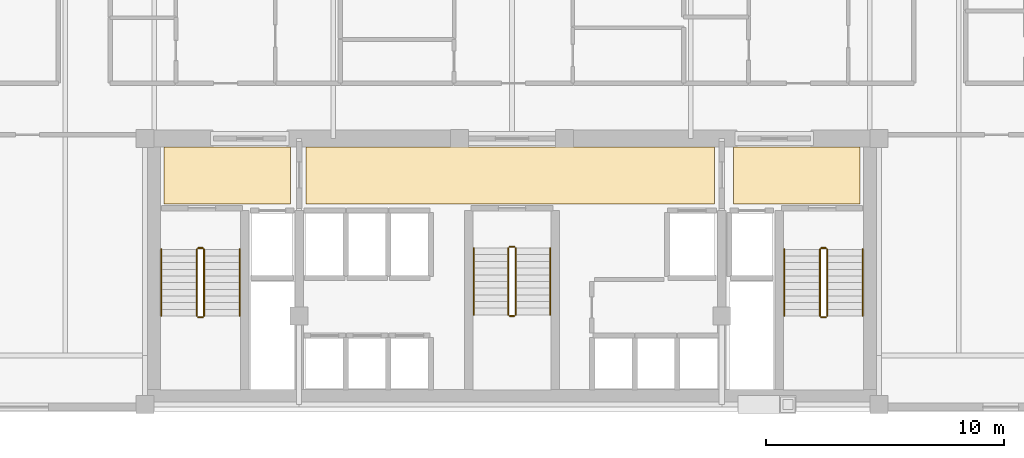
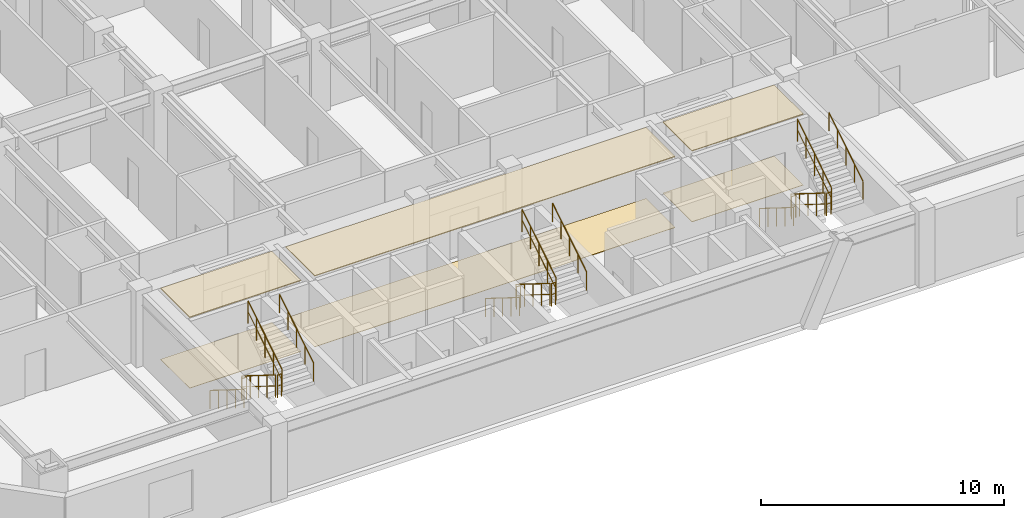
# One storey, part 14 of 14: 18 railings, 6 coverings.
"""IFC4 building model written with IfcOpenShell, lengths in metres."""

from ifc_helpers import new_model, si_unit, direction, frame, origin, origin_2d, place, context, subcontext, project, spatial, polyline, circle, outline, extrude, material, layer, layer_set, type_object, element, save


model = new_model("IFC4")

# Units and contexts
model_context = context("Model", 3, precision=1e-05, world=origin(), true_north=direction((0.0, 1.0)))
body_context = subcontext(model_context, "Body", "Model", "MODEL_VIEW")
ifc_project = project(units=[si_unit("LENGTHUNIT", "METRE"), si_unit("AREAUNIT", "SQUARE_METRE"), si_unit("VOLUMEUNIT", "CUBIC_METRE"), si_unit("PLANEANGLEUNIT", "RADIAN"), si_unit("MASSUNIT", "GRAM", prefix="KILO")], contexts=[model_context])

# Site, building, storey
site_placement = place(None, origin())
site = spatial("IfcSite", under=ifc_project, at=site_placement, CompositionType="ELEMENT")
building_placement = place(site_placement, origin())
building = spatial("IfcBuilding", under=site, at=building_placement, Name="Ventersveld Concourse Tower", CompositionType="ELEMENT")
storey_placement = place(building_placement, frame((0.0, 0.0, 81.050048828125)))
storey = spatial("IfcBuildingStorey", under=building, at=storey_placement, Name="L19", CompositionType="ELEMENT", Elevation=81.050048828125)

# Coverings
ifc_material_1 = material(Name="Mineral-fibre acoustic ceiling tile", Category="gypsum")
ifc_layer_1 = layer(ifc_material_1, 0.0400390625)
ifc_layer_set_1 = layer_set([ifc_layer_1], Name="Mineral-fibre acoustic ceiling tile")
covering_type_1 = type_object("IfcCoveringType", Name="COV-CEIL-ACOUSTIC", PredefinedType="CEILING", material=ifc_layer_set_1)
covering_1_placement = place(storey_placement, frame((0.0, 0.0, 3.56005859375)))
element("IfcCovering", 1, at=covering_1_placement, inside=storey, type_object=covering_type_1, Name="L19 North Lift Lobby Acoustic Ceiling", PredefinedType="CEILING", context=body_context, shape_type="SweptSolid", body=[
    extrude(outline(polyline([(20.10009765625, 8.699951171875), (37.25, 8.699951171875), (37.25, 11.10009765625), (20.10009765625, 11.10009765625), (20.10009765625, 8.699951171875)])), origin(), (0.0, 0.0, 1.0), 0.039794921875),
])
covering_2_placement = place(storey_placement, frame((0.0, 0.0, 3.56005859375)))
element("IfcCovering", 2, at=covering_2_placement, inside=storey, type_object=covering_type_1, Name="L19 West Firefighting Lobby Acoustic Ceiling", PredefinedType="CEILING", context=body_context, shape_type="SweptSolid", body=[
    extrude(outline(polyline([(14.14990234375, 8.699951171875), (19.449951171875, 8.699951171875), (19.449951171875, 11.10009765625), (14.14990234375, 11.10009765625), (14.14990234375, 8.699951171875)])), origin(), (0.0, 0.0, 1.0), 0.039794921875),
])
covering_3_placement = place(storey_placement, frame((0.0, 0.0, 3.56005859375)))
element("IfcCovering", 3, at=covering_3_placement, inside=storey, type_object=covering_type_1, Name="L19 East Firefighting Lobby Acoustic Ceiling", PredefinedType="CEILING", context=body_context, shape_type="SweptSolid", body=[
    extrude(outline(polyline([(38.050048828125, 8.699951171875), (43.35009765625, 8.699951171875), (43.35009765625, 11.10009765625), (38.050048828125, 11.10009765625), (38.050048828125, 8.699951171875)])), origin(), (0.0, 0.0, 1.0), 0.039794921875),
])
ifc_material_2 = material(Name="Polished Highveld granite terrazzo", Category="masonry")
ifc_layer_2 = layer(ifc_material_2, 0.02001953125)
ifc_layer_set_2 = layer_set([ifc_layer_2], Name="Polished Highveld granite terrazzo")
covering_type_2 = type_object("IfcCoveringType", Name="COV-FLOOR-TERRAZZO", PredefinedType="FLOORING", material=ifc_layer_set_2)
covering_4_placement = place(storey_placement, origin())
element("IfcCovering", 4, at=covering_4_placement, inside=storey, type_object=covering_type_2, Name="L19 North Lift Lobby Terrazzo Flooring", PredefinedType="FLOORING", context=body_context, shape_type="SweptSolid", body=[
    extrude(outline(polyline([(20.10009765625, 8.699951171875), (37.25, 8.699951171875), (37.25, 11.10009765625), (20.10009765625, 11.10009765625), (20.10009765625, 8.699951171875)])), origin(), (0.0, 0.0, 1.0), 0.02001953125),
])
covering_5_placement = place(storey_placement, origin())
element("IfcCovering", 5, at=covering_5_placement, inside=storey, type_object=covering_type_2, Name="L19 West Firefighting Lobby Terrazzo Flooring", PredefinedType="FLOORING", context=body_context, shape_type="SweptSolid", body=[
    extrude(outline(polyline([(14.14990234375, 8.699951171875), (19.449951171875, 8.699951171875), (19.449951171875, 11.10009765625), (14.14990234375, 11.10009765625), (14.14990234375, 8.699951171875)])), origin(), (0.0, 0.0, 1.0), 0.02001953125),
])
covering_6_placement = place(storey_placement, origin())
element("IfcCovering", 6, at=covering_6_placement, inside=storey, type_object=covering_type_2, Name="L19 East Firefighting Lobby Terrazzo Flooring", PredefinedType="FLOORING", context=body_context, shape_type="SweptSolid", body=[
    extrude(outline(polyline([(38.050048828125, 8.699951171875), (43.35009765625, 8.699951171875), (43.35009765625, 11.10009765625), (38.050048828125, 11.10009765625), (38.050048828125, 8.699951171875)])), origin(), (0.0, 0.0, 1.0), 0.02001953125),
])

# Railings
ifc_material_3 = material(Name="Brushed stainless steel 316", Category="steel")
railing_type_1 = type_object("IfcRailingType", Name="GD-BAL-115", PredefinedType="GUARDRAIL", material=ifc_material_3)
railing_1_placement = place(storey_placement, frame((15.530029296875, 6.800048828125, 0.175048828125)))
element("IfcRailing", 7, at=railing_1_placement, inside=storey, type_object=railing_type_1, Name="L19 ST-01 stair guard 1", PredefinedType="GUARDRAIL", context=body_context, shape_type="SweptSolid", body=[
    extrude(circle(Radius=0.02392578125, at=origin_2d()), frame((0.0, 0.0, 1.1259765625), z_axis=(0.0, -0.848002457836, 0.529992293815), x_axis=(1.0, 0.0, 0.0)), (0.0, 0.0, 1.0), 3.302001953125),
    extrude(circle(Radius=0.01611328125, at=origin_2d()), frame((0.0, 0.0, 0.574951171875), z_axis=(0.0, -0.848002457836, 0.529992293815), x_axis=(1.0, 0.0, 0.0)), (0.0, 0.0, 1.0), 3.302001953125),
    extrude(circle(Radius=0.02099609375, at=origin_2d()), origin(), (0.0, 0.0, 1.0), 1.101806640625),
    extrude(circle(Radius=0.02099609375, at=origin_2d()), frame((0.0, -0.699951171875, 0.4375)), (0.0, 0.0, 1.0), 1.101806640625),
    extrude(circle(Radius=0.02099609375, at=origin_2d()), frame((0.0, -1.39990234375, 0.875)), (0.0, 0.0, 1.0), 1.101806640625),
    extrude(circle(Radius=0.02099609375, at=origin_2d()), frame((0.0, -2.10009765625, 1.3125)), (0.0, 0.0, 1.0), 1.101806640625),
    extrude(circle(Radius=0.02099609375, at=origin_2d()), frame((0.0, -2.800048828125, 1.75)), (0.0, 0.0, 1.0), 1.101806640625),
])
railing_2_placement = place(storey_placement, frame((15.580078125, 3.949951171875, 1.925048828125)))
element("IfcRailing", 8, at=railing_2_placement, inside=storey, type_object=railing_type_1, Name="L19 ST-01 stair guard 2", PredefinedType="GUARDRAIL", context=body_context, shape_type="SweptSolid", body=[
    extrude(circle(Radius=0.02392578125, at=origin_2d()), frame((0.0, 0.0, 1.1259765625), z_axis=(1.0, 0.0, 0.0), x_axis=(0.0, 1.0, 0.0)), (0.0, 0.0, 1.0), 0.199951171875),
    extrude(circle(Radius=0.01611328125, at=origin_2d()), frame((0.0, 0.0, 0.574951171875), z_axis=(1.0, 0.0, 0.0), x_axis=(0.0, 1.0, 0.0)), (0.0, 0.0, 1.0), 0.199951171875),
    extrude(circle(Radius=0.02099609375, at=origin_2d()), origin(), (0.0, 0.0, 1.0), 1.101806640625),
    extrude(circle(Radius=0.02099609375, at=origin_2d()), frame((0.199951171875, 0.0, 0.0)), (0.0, 0.0, 1.0), 1.101806640625),
])
railing_3_placement = place(storey_placement, frame((15.830078125, 4.0, 2.099853515625)))
element("IfcRailing", 9, at=railing_3_placement, inside=storey, type_object=railing_type_1, Name="L19 ST-01 stair guard 3", PredefinedType="GUARDRAIL", context=body_context, shape_type="SweptSolid", body=[
    extrude(circle(Radius=0.02392578125, at=origin_2d()), frame((0.0, 0.0, 1.1259765625), z_axis=(0.0, 0.848002457836, 0.529992293815), x_axis=(-1.0, 0.0, 0.0)), (0.0, 0.0, 1.0), 3.302001953125),
    extrude(circle(Radius=0.01611328125, at=origin_2d()), frame((0.0, 0.0, 0.574951171875), z_axis=(0.0, 0.848002457836, 0.529992293815), x_axis=(-1.0, 0.0, 0.0)), (0.0, 0.0, 1.0), 3.302001953125),
    extrude(circle(Radius=0.02099609375, at=origin_2d()), origin(), (0.0, 0.0, 1.0), 1.101806640625),
    extrude(circle(Radius=0.02099609375, at=origin_2d()), frame((0.0, 0.699951171875, 0.4375)), (0.0, 0.0, 1.0), 1.101806640625),
    extrude(circle(Radius=0.02099609375, at=origin_2d()), frame((0.0, 1.39990234375, 0.875)), (0.0, 0.0, 1.0), 1.101806640625),
    extrude(circle(Radius=0.02099609375, at=origin_2d()), frame((0.0, 2.10009765625, 1.3125)), (0.0, 0.0, 1.0), 1.101806640625),
    extrude(circle(Radius=0.02099609375, at=origin_2d()), frame((0.0, 2.800048828125, 1.75)), (0.0, 0.0, 1.0), 1.101806640625),
])
railing_4_placement = place(storey_placement, frame((15.580078125, 6.85009765625, 0.0)))
element("IfcRailing", 10, at=railing_4_placement, inside=storey, type_object=railing_type_1, Name="L19 ST-01 stair guard 4", PredefinedType="GUARDRAIL", context=body_context, shape_type="SweptSolid", body=[
    extrude(circle(Radius=0.02392578125, at=origin_2d()), frame((0.0, 0.0, 1.1259765625), z_axis=(1.0, 0.0, 0.0), x_axis=(0.0, 1.0, 0.0)), (0.0, 0.0, 1.0), 0.199951171875),
    extrude(circle(Radius=0.01611328125, at=origin_2d()), frame((0.0, 0.0, 0.574951171875), z_axis=(1.0, 0.0, 0.0), x_axis=(0.0, 1.0, 0.0)), (0.0, 0.0, 1.0), 0.199951171875),
    extrude(circle(Radius=0.02099609375, at=origin_2d()), origin(), (0.0, 0.0, 1.0), 1.101806640625),
    extrude(circle(Radius=0.02099609375, at=origin_2d()), frame((0.199951171875, 0.0, 0.0)), (0.0, 0.0, 1.0), 1.101806640625),
])
railing_5_placement = place(storey_placement, frame((41.669921875, 6.800048828125, 0.175048828125)))
element("IfcRailing", 11, at=railing_5_placement, inside=storey, type_object=railing_type_1, Name="L19 ST-02 stair guard 1", PredefinedType="GUARDRAIL", context=body_context, shape_type="SweptSolid", body=[
    extrude(circle(Radius=0.02392578125, at=origin_2d()), frame((0.0, 0.0, 1.1259765625), z_axis=(0.0, -0.848002457836, 0.529992293815), x_axis=(1.0, 0.0, 0.0)), (0.0, 0.0, 1.0), 3.302001953125),
    extrude(circle(Radius=0.01611328125, at=origin_2d()), frame((0.0, 0.0, 0.574951171875), z_axis=(0.0, -0.848002457836, 0.529992293815), x_axis=(1.0, 0.0, 0.0)), (0.0, 0.0, 1.0), 3.302001953125),
    extrude(circle(Radius=0.02099609375, at=origin_2d()), origin(), (0.0, 0.0, 1.0), 1.101806640625),
    extrude(circle(Radius=0.02099609375, at=origin_2d()), frame((0.0, -0.699951171875, 0.4375)), (0.0, 0.0, 1.0), 1.101806640625),
    extrude(circle(Radius=0.02099609375, at=origin_2d()), frame((0.0, -1.39990234375, 0.875)), (0.0, 0.0, 1.0), 1.101806640625),
    extrude(circle(Radius=0.02099609375, at=origin_2d()), frame((0.0, -2.10009765625, 1.3125)), (0.0, 0.0, 1.0), 1.101806640625),
    extrude(circle(Radius=0.02099609375, at=origin_2d()), frame((0.0, -2.800048828125, 1.75)), (0.0, 0.0, 1.0), 1.101806640625),
])
railing_6_placement = place(storey_placement, frame((41.719970703125, 3.949951171875, 1.925048828125)))
element("IfcRailing", 12, at=railing_6_placement, inside=storey, type_object=railing_type_1, Name="L19 ST-02 stair guard 2", PredefinedType="GUARDRAIL", context=body_context, shape_type="SweptSolid", body=[
    extrude(circle(Radius=0.02392578125, at=origin_2d()), frame((0.0, 0.0, 1.1259765625), z_axis=(1.0, 0.0, 0.0), x_axis=(0.0, 1.0, 0.0)), (0.0, 0.0, 1.0), 0.199951171875),
    extrude(circle(Radius=0.01611328125, at=origin_2d()), frame((0.0, 0.0, 0.574951171875), z_axis=(1.0, 0.0, 0.0), x_axis=(0.0, 1.0, 0.0)), (0.0, 0.0, 1.0), 0.199951171875),
    extrude(circle(Radius=0.02099609375, at=origin_2d()), origin(), (0.0, 0.0, 1.0), 1.101806640625),
    extrude(circle(Radius=0.02099609375, at=origin_2d()), frame((0.199951171875, 0.0, 0.0)), (0.0, 0.0, 1.0), 1.101806640625),
])
railing_7_placement = place(storey_placement, frame((41.969970703125, 4.0, 2.099853515625)))
element("IfcRailing", 13, at=railing_7_placement, inside=storey, type_object=railing_type_1, Name="L19 ST-02 stair guard 3", PredefinedType="GUARDRAIL", context=body_context, shape_type="SweptSolid", body=[
    extrude(circle(Radius=0.02392578125, at=origin_2d()), frame((0.0, 0.0, 1.1259765625), z_axis=(0.0, 0.848002457836, 0.529992293815), x_axis=(-1.0, 0.0, 0.0)), (0.0, 0.0, 1.0), 3.302001953125),
    extrude(circle(Radius=0.01611328125, at=origin_2d()), frame((0.0, 0.0, 0.574951171875), z_axis=(0.0, 0.848002457836, 0.529992293815), x_axis=(-1.0, 0.0, 0.0)), (0.0, 0.0, 1.0), 3.302001953125),
    extrude(circle(Radius=0.02099609375, at=origin_2d()), origin(), (0.0, 0.0, 1.0), 1.101806640625),
    extrude(circle(Radius=0.02099609375, at=origin_2d()), frame((0.0, 0.699951171875, 0.4375)), (0.0, 0.0, 1.0), 1.101806640625),
    extrude(circle(Radius=0.02099609375, at=origin_2d()), frame((0.0, 1.39990234375, 0.875)), (0.0, 0.0, 1.0), 1.101806640625),
    extrude(circle(Radius=0.02099609375, at=origin_2d()), frame((0.0, 2.10009765625, 1.3125)), (0.0, 0.0, 1.0), 1.101806640625),
    extrude(circle(Radius=0.02099609375, at=origin_2d()), frame((0.0, 2.800048828125, 1.75)), (0.0, 0.0, 1.0), 1.101806640625),
])
railing_8_placement = place(storey_placement, frame((41.719970703125, 6.85009765625, 0.0)))
element("IfcRailing", 14, at=railing_8_placement, inside=storey, type_object=railing_type_1, Name="L19 ST-02 stair guard 4", PredefinedType="GUARDRAIL", context=body_context, shape_type="SweptSolid", body=[
    extrude(circle(Radius=0.02392578125, at=origin_2d()), frame((0.0, 0.0, 1.1259765625), z_axis=(1.0, 0.0, 0.0), x_axis=(0.0, 1.0, 0.0)), (0.0, 0.0, 1.0), 0.199951171875),
    extrude(circle(Radius=0.01611328125, at=origin_2d()), frame((0.0, 0.0, 0.574951171875), z_axis=(1.0, 0.0, 0.0), x_axis=(0.0, 1.0, 0.0)), (0.0, 0.0, 1.0), 0.199951171875),
    extrude(circle(Radius=0.02099609375, at=origin_2d()), origin(), (0.0, 0.0, 1.0), 1.101806640625),
    extrude(circle(Radius=0.02099609375, at=origin_2d()), frame((0.199951171875, 0.0, 0.0)), (0.0, 0.0, 1.0), 1.101806640625),
])
railing_9_placement = place(storey_placement, frame((28.60009765625, 6.85009765625, 0.175048828125)))
element("IfcRailing", 15, at=railing_9_placement, inside=storey, type_object=railing_type_1, Name="L19 ST-03 stair guard 1", PredefinedType="GUARDRAIL", context=body_context, shape_type="SweptSolid", body=[
    extrude(circle(Radius=0.02392578125, at=origin_2d()), frame((0.0, 0.0, 1.1259765625), z_axis=(0.0, -0.848002457836, 0.529992293815), x_axis=(1.0, 0.0, 0.0)), (0.0, 0.0, 1.0), 3.302001953125),
    extrude(circle(Radius=0.01611328125, at=origin_2d()), frame((0.0, 0.0, 0.574951171875), z_axis=(0.0, -0.848002457836, 0.529992293815), x_axis=(1.0, 0.0, 0.0)), (0.0, 0.0, 1.0), 3.302001953125),
    extrude(circle(Radius=0.02099609375, at=origin_2d()), origin(), (0.0, 0.0, 1.0), 1.101806640625),
    extrude(circle(Radius=0.02099609375, at=origin_2d()), frame((0.0, -0.699951171875, 0.4375)), (0.0, 0.0, 1.0), 1.101806640625),
    extrude(circle(Radius=0.02099609375, at=origin_2d()), frame((0.0, -1.39990234375, 0.875)), (0.0, 0.0, 1.0), 1.101806640625),
    extrude(circle(Radius=0.02099609375, at=origin_2d()), frame((0.0, -2.10009765625, 1.3125)), (0.0, 0.0, 1.0), 1.101806640625),
    extrude(circle(Radius=0.02099609375, at=origin_2d()), frame((0.0, -2.800048828125, 1.75)), (0.0, 0.0, 1.0), 1.101806640625),
])
railing_10_placement = place(storey_placement, frame((28.64990234375, 4.0, 1.925048828125)))
element("IfcRailing", 16, at=railing_10_placement, inside=storey, type_object=railing_type_1, Name="L19 ST-03 stair guard 2", PredefinedType="GUARDRAIL", context=body_context, shape_type="SweptSolid", body=[
    extrude(circle(Radius=0.02392578125, at=origin_2d()), frame((0.0, 0.0, 1.1259765625), z_axis=(1.0, 0.0, 0.0), x_axis=(0.0, 1.0, 0.0)), (0.0, 0.0, 1.0), 0.2001953125),
    extrude(circle(Radius=0.01611328125, at=origin_2d()), frame((0.0, 0.0, 0.574951171875), z_axis=(1.0, 0.0, 0.0), x_axis=(0.0, 1.0, 0.0)), (0.0, 0.0, 1.0), 0.2001953125),
    extrude(circle(Radius=0.02099609375, at=origin_2d()), origin(), (0.0, 0.0, 1.0), 1.101806640625),
    extrude(circle(Radius=0.02099609375, at=origin_2d()), frame((0.2001953125, 0.0, 0.0)), (0.0, 0.0, 1.0), 1.101806640625),
])
railing_11_placement = place(storey_placement, frame((28.89990234375, 4.050048828125, 2.099853515625)))
element("IfcRailing", 17, at=railing_11_placement, inside=storey, type_object=railing_type_1, Name="L19 ST-03 stair guard 3", PredefinedType="GUARDRAIL", context=body_context, shape_type="SweptSolid", body=[
    extrude(circle(Radius=0.02392578125, at=origin_2d()), frame((0.0, 0.0, 1.1259765625), z_axis=(0.0, 0.848002457836, 0.529992293815), x_axis=(-1.0, 0.0, 0.0)), (0.0, 0.0, 1.0), 3.302001953125),
    extrude(circle(Radius=0.01611328125, at=origin_2d()), frame((0.0, 0.0, 0.574951171875), z_axis=(0.0, 0.848002457836, 0.529992293815), x_axis=(-1.0, 0.0, 0.0)), (0.0, 0.0, 1.0), 3.302001953125),
    extrude(circle(Radius=0.02099609375, at=origin_2d()), origin(), (0.0, 0.0, 1.0), 1.101806640625),
    extrude(circle(Radius=0.02099609375, at=origin_2d()), frame((0.0, 0.699951171875, 0.4375)), (0.0, 0.0, 1.0), 1.101806640625),
    extrude(circle(Radius=0.02099609375, at=origin_2d()), frame((0.0, 1.39990234375, 0.875)), (0.0, 0.0, 1.0), 1.101806640625),
    extrude(circle(Radius=0.02099609375, at=origin_2d()), frame((0.0, 2.10009765625, 1.3125)), (0.0, 0.0, 1.0), 1.101806640625),
    extrude(circle(Radius=0.02099609375, at=origin_2d()), frame((0.0, 2.800048828125, 1.75)), (0.0, 0.0, 1.0), 1.101806640625),
])
railing_12_placement = place(storey_placement, frame((28.64990234375, 6.89990234375, 0.0)))
element("IfcRailing", 18, at=railing_12_placement, inside=storey, type_object=railing_type_1, Name="L19 ST-03 stair guard 4", PredefinedType="GUARDRAIL", context=body_context, shape_type="SweptSolid", body=[
    extrude(circle(Radius=0.02392578125, at=origin_2d()), frame((0.0, 0.0, 1.1259765625), z_axis=(1.0, 0.0, 0.0), x_axis=(0.0, 1.0, 0.0)), (0.0, 0.0, 1.0), 0.2001953125),
    extrude(circle(Radius=0.01611328125, at=origin_2d()), frame((0.0, 0.0, 0.574951171875), z_axis=(1.0, 0.0, 0.0), x_axis=(0.0, 1.0, 0.0)), (0.0, 0.0, 1.0), 0.2001953125),
    extrude(circle(Radius=0.02099609375, at=origin_2d()), origin(), (0.0, 0.0, 1.0), 1.101806640625),
    extrude(circle(Radius=0.02099609375, at=origin_2d()), frame((0.2001953125, 0.0, 0.0)), (0.0, 0.0, 1.0), 1.101806640625),
])
railing_type_2 = type_object("IfcRailingType", Name="HR-RMP-095", PredefinedType="HANDRAIL", material=ifc_material_3)
railing_13_placement = place(storey_placement, frame((14.030029296875, 6.800048828125, 0.175048828125)))
element("IfcRailing", 19, at=railing_13_placement, inside=storey, type_object=railing_type_2, Name="L19 ST-01 stair handrail 1", PredefinedType="HANDRAIL", context=body_context, shape_type="SweptSolid", body=[
    extrude(circle(Radius=0.02392578125, at=origin_2d()), frame((0.0, 0.0, 0.92578125), z_axis=(0.0, -0.848002457836, 0.529992293815), x_axis=(1.0, 0.0, 0.0)), (0.0, 0.0, 1.0), 3.302001953125),
    extrude(circle(Radius=0.02099609375, at=origin_2d()), origin(), (0.0, 0.0, 1.0), 0.90185546875),
    extrude(circle(Radius=0.02099609375, at=origin_2d()), frame((0.0, -0.699951171875, 0.4375)), (0.0, 0.0, 1.0), 0.90185546875),
    extrude(circle(Radius=0.02099609375, at=origin_2d()), frame((0.0, -1.39990234375, 0.875)), (0.0, 0.0, 1.0), 0.90185546875),
    extrude(circle(Radius=0.02099609375, at=origin_2d()), frame((0.0, -2.10009765625, 1.3125)), (0.0, 0.0, 1.0), 0.90185546875),
    extrude(circle(Radius=0.02099609375, at=origin_2d()), frame((0.0, -2.800048828125, 1.75)), (0.0, 0.0, 1.0), 0.90185546875),
])
railing_14_placement = place(storey_placement, frame((17.330078125, 4.0, 2.099853515625)))
element("IfcRailing", 20, at=railing_14_placement, inside=storey, type_object=railing_type_2, Name="L19 ST-01 stair handrail 2", PredefinedType="HANDRAIL", context=body_context, shape_type="SweptSolid", body=[
    extrude(circle(Radius=0.02392578125, at=origin_2d()), frame((0.0, 0.0, 0.92578125), z_axis=(0.0, 0.848002457836, 0.529992293815), x_axis=(-1.0, 0.0, 0.0)), (0.0, 0.0, 1.0), 3.302001953125),
    extrude(circle(Radius=0.02099609375, at=origin_2d()), origin(), (0.0, 0.0, 1.0), 0.90185546875),
    extrude(circle(Radius=0.02099609375, at=origin_2d()), frame((0.0, 0.699951171875, 0.4375)), (0.0, 0.0, 1.0), 0.90185546875),
    extrude(circle(Radius=0.02099609375, at=origin_2d()), frame((0.0, 1.39990234375, 0.875)), (0.0, 0.0, 1.0), 0.90185546875),
    extrude(circle(Radius=0.02099609375, at=origin_2d()), frame((0.0, 2.10009765625, 1.3125)), (0.0, 0.0, 1.0), 0.90185546875),
    extrude(circle(Radius=0.02099609375, at=origin_2d()), frame((0.0, 2.800048828125, 1.75)), (0.0, 0.0, 1.0), 0.90185546875),
])
railing_15_placement = place(storey_placement, frame((40.169921875, 6.800048828125, 0.175048828125)))
element("IfcRailing", 21, at=railing_15_placement, inside=storey, type_object=railing_type_2, Name="L19 ST-02 stair handrail 1", PredefinedType="HANDRAIL", context=body_context, shape_type="SweptSolid", body=[
    extrude(circle(Radius=0.02392578125, at=origin_2d()), frame((0.0, 0.0, 0.92578125), z_axis=(0.0, -0.848002457836, 0.529992293815), x_axis=(1.0, 0.0, 0.0)), (0.0, 0.0, 1.0), 3.302001953125),
    extrude(circle(Radius=0.02099609375, at=origin_2d()), origin(), (0.0, 0.0, 1.0), 0.90185546875),
    extrude(circle(Radius=0.02099609375, at=origin_2d()), frame((0.0, -0.699951171875, 0.4375)), (0.0, 0.0, 1.0), 0.90185546875),
    extrude(circle(Radius=0.02099609375, at=origin_2d()), frame((0.0, -1.39990234375, 0.875)), (0.0, 0.0, 1.0), 0.90185546875),
    extrude(circle(Radius=0.02099609375, at=origin_2d()), frame((0.0, -2.10009765625, 1.3125)), (0.0, 0.0, 1.0), 0.90185546875),
    extrude(circle(Radius=0.02099609375, at=origin_2d()), frame((0.0, -2.800048828125, 1.75)), (0.0, 0.0, 1.0), 0.90185546875),
])
railing_16_placement = place(storey_placement, frame((43.469970703125, 4.0, 2.099853515625)))
element("IfcRailing", 22, at=railing_16_placement, inside=storey, type_object=railing_type_2, Name="L19 ST-02 stair handrail 2", PredefinedType="HANDRAIL", context=body_context, shape_type="SweptSolid", body=[
    extrude(circle(Radius=0.02392578125, at=origin_2d()), frame((0.0, 0.0, 0.92578125), z_axis=(0.0, 0.848002457836, 0.529992293815), x_axis=(-1.0, 0.0, 0.0)), (0.0, 0.0, 1.0), 3.302001953125),
    extrude(circle(Radius=0.02099609375, at=origin_2d()), origin(), (0.0, 0.0, 1.0), 0.90185546875),
    extrude(circle(Radius=0.02099609375, at=origin_2d()), frame((0.0, 0.699951171875, 0.4375)), (0.0, 0.0, 1.0), 0.90185546875),
    extrude(circle(Radius=0.02099609375, at=origin_2d()), frame((0.0, 1.39990234375, 0.875)), (0.0, 0.0, 1.0), 0.90185546875),
    extrude(circle(Radius=0.02099609375, at=origin_2d()), frame((0.0, 2.10009765625, 1.3125)), (0.0, 0.0, 1.0), 0.90185546875),
    extrude(circle(Radius=0.02099609375, at=origin_2d()), frame((0.0, 2.800048828125, 1.75)), (0.0, 0.0, 1.0), 0.90185546875),
])
railing_17_placement = place(storey_placement, frame((27.14990234375, 6.85009765625, 0.175048828125)))
element("IfcRailing", 23, at=railing_17_placement, inside=storey, type_object=railing_type_2, Name="L19 ST-03 stair handrail 1", PredefinedType="HANDRAIL", context=body_context, shape_type="SweptSolid", body=[
    extrude(circle(Radius=0.02392578125, at=origin_2d()), frame((0.0, 0.0, 0.92578125), z_axis=(0.0, -0.848002457836, 0.529992293815), x_axis=(1.0, 0.0, 0.0)), (0.0, 0.0, 1.0), 3.302001953125),
    extrude(circle(Radius=0.02099609375, at=origin_2d()), origin(), (0.0, 0.0, 1.0), 0.90185546875),
    extrude(circle(Radius=0.02099609375, at=origin_2d()), frame((0.0, -0.699951171875, 0.4375)), (0.0, 0.0, 1.0), 0.90185546875),
    extrude(circle(Radius=0.02099609375, at=origin_2d()), frame((0.0, -1.39990234375, 0.875)), (0.0, 0.0, 1.0), 0.90185546875),
    extrude(circle(Radius=0.02099609375, at=origin_2d()), frame((0.0, -2.10009765625, 1.3125)), (0.0, 0.0, 1.0), 0.90185546875),
    extrude(circle(Radius=0.02099609375, at=origin_2d()), frame((0.0, -2.800048828125, 1.75)), (0.0, 0.0, 1.0), 0.90185546875),
])
railing_18_placement = place(storey_placement, frame((30.35009765625, 4.050048828125, 2.099853515625)))
element("IfcRailing", 24, at=railing_18_placement, inside=storey, type_object=railing_type_2, Name="L19 ST-03 stair handrail 2", PredefinedType="HANDRAIL", context=body_context, shape_type="SweptSolid", body=[
    extrude(circle(Radius=0.02392578125, at=origin_2d()), frame((0.0, 0.0, 0.92578125), z_axis=(0.0, 0.848002457836, 0.529992293815), x_axis=(-1.0, 0.0, 0.0)), (0.0, 0.0, 1.0), 3.302001953125),
    extrude(circle(Radius=0.02099609375, at=origin_2d()), origin(), (0.0, 0.0, 1.0), 0.90185546875),
    extrude(circle(Radius=0.02099609375, at=origin_2d()), frame((0.0, 0.699951171875, 0.4375)), (0.0, 0.0, 1.0), 0.90185546875),
    extrude(circle(Radius=0.02099609375, at=origin_2d()), frame((0.0, 1.39990234375, 0.875)), (0.0, 0.0, 1.0), 0.90185546875),
    extrude(circle(Radius=0.02099609375, at=origin_2d()), frame((0.0, 2.10009765625, 1.3125)), (0.0, 0.0, 1.0), 0.90185546875),
    extrude(circle(Radius=0.02099609375, at=origin_2d()), frame((0.0, 2.800048828125, 1.75)), (0.0, 0.0, 1.0), 0.90185546875),
])

save(model, "model.ifc")
